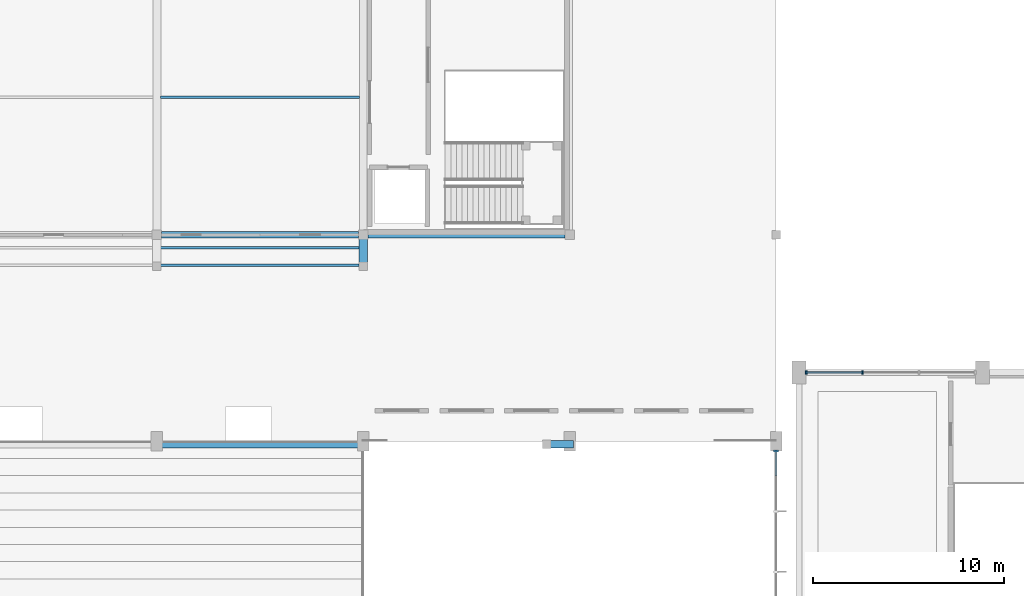
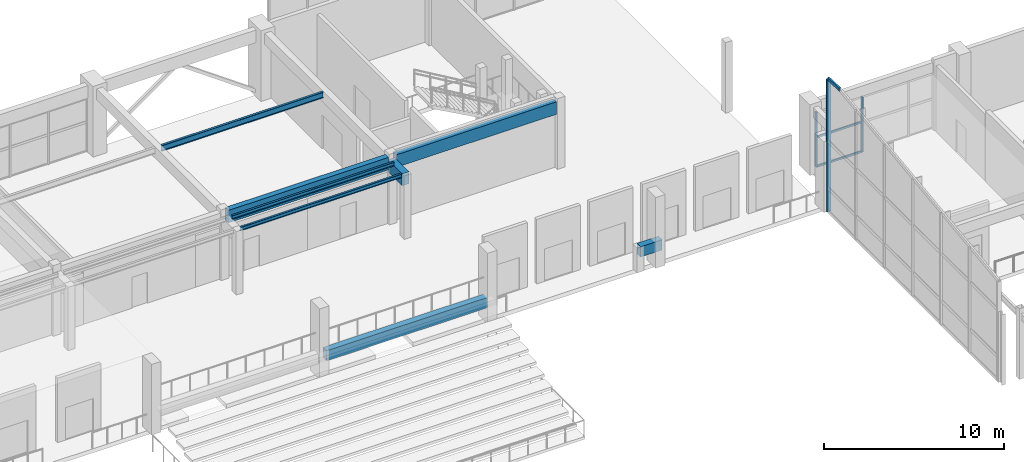
# One storey, part 34 of 74: 8 beams, 6 members, 2 elements without a shape of their own.
"""IFC4 building model written with IfcOpenShell, lengths in metres."""

from ifc_helpers import new_model, si_unit, direction, frame, origin, origin_2d, place, context, subcontext, project, spatial, rectangle, i_section, extrude, material, material_profile, profile_set, type_object, element, aggregate, save


model = new_model("IFC4")

# Units and contexts
model_context = context("Model", 3, precision=1e-05, world=origin(), true_north=direction((0.0, 1.0)))
body_context = subcontext(model_context, "Body", "Model", "MODEL_VIEW")
ifc_project = project(units=[si_unit("LENGTHUNIT", "METRE"), si_unit("AREAUNIT", "SQUARE_METRE"), si_unit("VOLUMEUNIT", "CUBIC_METRE"), si_unit("PLANEANGLEUNIT", "RADIAN"), si_unit("MASSUNIT", "GRAM", prefix="KILO")], contexts=[model_context])

# Site, building, storey
site_placement = place(None, origin())
site = spatial("IfcSite", under=ifc_project, at=site_placement, CompositionType="ELEMENT")
building_placement = place(site_placement, origin())
building = spatial("IfcBuilding", under=site, at=building_placement, Name="Suirenkawa Promenade Aquatics Centre", CompositionType="ELEMENT")
storey_placement = place(building_placement, frame((0.0, 0.0, 4.800048828125)))
storey = spatial("IfcBuildingStorey", under=building, at=storey_placement, Name="L01", CompositionType="ELEMENT", Elevation=4.800048828125)

# Beams
ifc_material_1 = material(Name="Steel IS 2062 E350 (Grade 350)", Category="steel")
ifc_material_profile_1 = material_profile(ifc_material_1, i_section(OverallWidth=0.125, OverallDepth=0.25, WebThickness=0.007080078125, FlangeThickness=0.012939453125, at=origin_2d()), Name="ISMB 250", Category="steel")
ifc_profile_set_1 = profile_set([ifc_material_profile_1], Name="Steel IS 2062 E350 (Grade 350)")
beam_type_1 = type_object("IfcBeamType", Name="BT-JOIST-ISMB250", PredefinedType="JOIST", material=ifc_profile_set_1)
for number, where, z_axis, x_axis, name in (
    (1, (122.590087890625, 106.419921875, 4.18505859375), (1.0, 0.0, 0.0), (0.0, 1.0, 0.0), "VIP tier stringer JS-01 BM-1330"),
    (2, (122.590087890625, 107.320068359375, 4.429931640625), (1.0, 0.0, 0.0), (0.0, 1.0, 0.0), "VIP tier stringer JS-01 BM-1331"),
):
    element("IfcBeam", number, at=place(storey_placement, frame(where, z_axis=z_axis, x_axis=x_axis)), inside=storey, type_object=beam_type_1, Name=name, PredefinedType="JOIST", context=body_context, shape_type="SweptSolid", body=[
        extrude(i_section(OverallWidth=0.125, OverallDepth=0.25, WebThickness=0.007080078125, FlangeThickness=0.012939453125, at=origin_2d()), origin(), (0.0, 0.0, 1.0), 10.419921875),
    ])
ifc_material_profile_2 = material_profile(ifc_material_1, i_section(OverallWidth=0.139892578125, OverallDepth=0.39990234375, WebThickness=0.009033203125, FlangeThickness=0.01611328125, at=origin_2d()), Name="ISMB 400", Category="steel")
ifc_profile_set_2 = profile_set([ifc_material_profile_2], Name="Steel IS 2062 E350 (Grade 350)")
beam_type_2 = type_object("IfcBeamType", Name="BT-JOIST-ISMB400", PredefinedType="JOIST", material=ifc_profile_set_2)
beam_1_placement = place(storey_placement, frame((122.593994140625, 115.199951171875, 4.347900390625), z_axis=(1.0, 0.0, 0.0), x_axis=(0.0, 1.0, 0.0)))
element("IfcBeam", 3, at=beam_1_placement, inside=storey, type_object=beam_type_2, Name="Secondary floor joist JS-04 BM-1155", PredefinedType="JOIST", context=body_context, shape_type="SweptSolid", body=[
    extrude(i_section(OverallWidth=0.139892578125, OverallDepth=0.39990234375, WebThickness=0.009033203125, FlangeThickness=0.01611328125, at=origin_2d()), origin(), (0.0, 0.0, 1.0), 10.412109375),
])
ifc_material_2 = material(Name="Concrete M35", Category="concrete")
ifc_material_profile_3 = material_profile(ifc_material_2, rectangle(XDim=0.39990234375, YDim=0.699951171875, at=origin_2d()), Name="RC BM 400x700", Category="concrete")
ifc_profile_set_3 = profile_set([ifc_material_profile_3], Name="Concrete M35")
beam_type_3 = type_object("IfcBeamType", Name="BT-RC-400x700", PredefinedType="BEAM", material=ifc_profile_set_3)
beam_2_placement = place(storey_placement, frame((122.639892578125, 97.050048828125, 1.329833984375), z_axis=(1.0, 0.0, 0.0), x_axis=(0.0, 1.0, 0.0)))
element("IfcBeam", 4, at=beam_2_placement, inside=storey, type_object=beam_type_3, Name="Bowl top header beam BM-04 BM-1291", PredefinedType="BEAM", context=body_context, shape_type="SweptSolid", body=[
    extrude(rectangle(XDim=0.39990234375, YDim=0.699951171875, at=origin_2d()), origin(), (0.0, 0.0, 1.0), 10.320068359375),
])
beam_3_placement = place(storey_placement, frame((142.800048828125, 97.050048828125, 1.329833984375), z_axis=(1.0, 0.0, 0.0), x_axis=(0.0, 1.0, 0.0)))
element("IfcBeam", 5, at=beam_3_placement, inside=storey, type_object=beam_type_3, Name="Bowl east raker header beam BM-04 BM-1312", PredefinedType="BEAM", context=body_context, shape_type="SweptSolid", body=[
    extrude(rectangle(XDim=0.39990234375, YDim=0.699951171875, at=origin_2d()), origin(), (0.0, 0.0, 1.0), 1.39990234375),
])
ifc_material_3 = material(Name="Concrete M40", Category="concrete")
ifc_material_profile_4 = material_profile(ifc_material_3, rectangle(XDim=0.449951171875, YDim=0.800048828125, at=origin_2d()), Name="RC BM 450x800", Category="concrete")
ifc_profile_set_4 = profile_set([ifc_material_profile_4], Name="Concrete M40")
beam_type_4 = type_object("IfcBeamType", Name="BT-RC-450x800", PredefinedType="BEAM", material=ifc_profile_set_4)
beam_4_placement = place(storey_placement, frame((133.199951171875, 106.35009765625, 3.909912109375), z_axis=(0.0, 1.0, 0.0), x_axis=(-1.0, 0.0, 0.0)))
element("IfcBeam", 6, at=beam_4_placement, inside=storey, type_object=beam_type_4, Name="VIP tier support girder BM-06 BM-1319", PredefinedType="BEAM", context=body_context, shape_type="SweptSolid", body=[
    extrude(rectangle(XDim=0.449951171875, YDim=0.800048828125, at=origin_2d()), origin(), (0.0, 0.0, 1.0), 1.599853515625),
])
ifc_material_profile_5 = material_profile(ifc_material_3, rectangle(XDim=0.35009765625, YDim=0.85009765625, at=origin_2d()), Name="RC SPANDREL 350x850", Category="concrete")
ifc_profile_set_5 = profile_set([ifc_material_profile_5], Name="Concrete M40")
beam_type_5 = type_object("IfcBeamType", Name="BT-SPANDREL-350x850", PredefinedType="SPANDREL", material=ifc_profile_set_5)
for number, where, z_axis, x_axis, name in (
    (7, (122.64404296875, 108.0, 4.125), (1.0, 0.0, 0.0), (0.0, 1.0, 0.0), "Floor beam SP-02 BM-1132"),
    (8, (133.444091796875, 108.0, 4.125), (1.0, 0.0, 0.0), (0.0, 1.0, 0.0), "Floor beam SP-02 BM-1133"),
):
    element("IfcBeam", number, at=place(storey_placement, frame(where, z_axis=z_axis, x_axis=x_axis)), inside=storey, type_object=beam_type_5, Name=name, PredefinedType="SPANDREL", context=body_context, shape_type="SweptSolid", body=[
        extrude(rectangle(XDim=0.35009765625, YDim=0.85009765625, at=origin_2d()), origin(), (0.0, 0.0, 1.0), 10.31201171875),
    ])

# Curtain wall, members
ifc_material_4 = material(Name="Anodised aluminium 6063-T6", Category="aluminium")
curtain_wall_type_1 = type_object("IfcCurtainWallType", Name="CWAT-V2GL01-18", PredefinedType="NOTDEFINED", material=ifc_material_4)
curtain_wall_1_placement = place(storey_placement, origin())
curtain_wall_1 = element("IfcCurtainWall", 9, at=curtain_wall_1_placement, inside=storey, type_object=curtain_wall_type_1, Name="Curtain wall CWA-18 CW-037", PredefinedType="NOTDEFINED")
ifc_material_profile_6 = material_profile(ifc_material_4, rectangle(XDim=0.090087890625, YDim=0.159912109375, at=origin_2d()), Name="ALU MULL 90x160", Category="aluminium")
ifc_profile_set_6 = profile_set([ifc_material_profile_6], Name="Anodised aluminium 6063-T6")
member_type_1 = type_object("IfcMemberType", Name="CWM-160x90", PredefinedType="MULLION", material=ifc_profile_set_6)
member_1_placement = place(storey_placement, frame((156.3740234375, 100.800048828125, 0.0), z_axis=(0.0, 0.0, 1.0), x_axis=(1.0, 0.0, 0.0)))
member_1 = element("IfcMember", 10, at=member_1_placement, type_object=member_type_1, Name="Mullion ML-03 CWM-00761", PredefinedType="MULLION", context=body_context, shape_type="SweptSolid", body=[
    extrude(rectangle(XDim=0.090087890625, YDim=0.159912109375, at=origin_2d()), origin(), (0.0, 0.0, 1.0), 3.719970703125),
])
member_2_placement = place(storey_placement, frame((159.32470703125, 100.800048828125, 0.0), z_axis=(0.0, 0.0, 1.0), x_axis=(1.0, 0.0, 0.0)))
member_2 = element("IfcMember", 11, at=member_2_placement, type_object=member_type_1, Name="Mullion ML-03 CWM-00762", PredefinedType="MULLION", context=body_context, shape_type="SweptSolid", body=[
    extrude(rectangle(XDim=0.090087890625, YDim=0.159912109375, at=origin_2d()), origin(), (0.0, 0.0, 1.0), 3.719970703125),
])

# Curtain wall, member
curtain_wall_type_2 = type_object("IfcCurtainWallType", Name="CWAT-GABLEV1-04", PredefinedType="NOTDEFINED", material=ifc_material_4)
curtain_wall_2_placement = place(storey_placement, origin())
curtain_wall_2 = element("IfcCurtainWall", 12, at=curtain_wall_2_placement, inside=storey, type_object=curtain_wall_type_2, Name="Curtain wall CWA-04 CW-008", PredefinedType="NOTDEFINED")
ifc_material_profile_7 = material_profile(ifc_material_4, rectangle(XDim=0.110107421875, YDim=0.260009765625, at=origin_2d()), Name="ALU MULL 110x260", Category="aluminium")
ifc_profile_set_7 = profile_set([ifc_material_profile_7], Name="Anodised aluminium 6063-T6")
member_type_2 = type_object("IfcMemberType", Name="CWM-260x110", PredefinedType="MULLION", material=ifc_profile_set_7)
member_3_placement = place(storey_placement, frame((154.800048828125, 96.700927734375, 0.0), z_axis=(0.0, 0.0, 1.0), x_axis=(0.0, -1.0, 0.0)))
member_3 = element("IfcMember", 13, at=member_3_placement, type_object=member_type_2, Name="Mullion ML-04 CWM-00160", PredefinedType="MULLION", context=body_context, shape_type="SweptSolid", body=[
    extrude(rectangle(XDim=0.110107421875, YDim=0.260009765625, at=origin_2d()), origin(), (0.0, 0.0, 1.0), 8.996826171875),
])

# Member
ifc_material_profile_8 = material_profile(ifc_material_4, rectangle(XDim=0.090087890625, YDim=0.1298828125, at=origin_2d()), Name="ALU TRAN 90x130", Category="aluminium")
ifc_profile_set_8 = profile_set([ifc_material_profile_8], Name="Anodised aluminium 6063-T6")
member_type_3 = type_object("IfcMemberType", Name="CWT-130x90", PredefinedType="USERDEFINED", material=ifc_profile_set_8)
member_4_placement = place(storey_placement, frame((156.3740234375, 100.800048828125, 0.0), z_axis=(1.0, 0.0, 0.0), x_axis=(0.0, 1.0, 0.0)))
member_4 = element("IfcMember", 14, at=member_4_placement, type_object=member_type_3, Name="Transom TR-03 CWT-00765", ObjectType="TRANSOM", PredefinedType="USERDEFINED", context=body_context, shape_type="SweptSolid", body=[
    extrude(rectangle(XDim=0.090087890625, YDim=0.1298828125, at=origin_2d()), origin(), (0.0, 0.0, 1.0), 2.95068359375),
])

member_5_placement = place(storey_placement, frame((156.3740234375, 100.800048828125, 2.0), z_axis=(1.0, 0.0, 0.0), x_axis=(0.0, 1.0, 0.0)))
member_5 = element("IfcMember", 15, at=member_5_placement, type_object=member_type_3, Name="Transom TR-03 CWT-00768", ObjectType="TRANSOM", PredefinedType="USERDEFINED", context=body_context, shape_type="SweptSolid", body=[
    extrude(rectangle(XDim=0.090087890625, YDim=0.1298828125, at=origin_2d()), origin(), (0.0, 0.0, 1.0), 2.95068359375),
])

aggregate(curtain_wall_1, [member_1, member_2, member_4, member_5])

ifc_material_profile_9 = material_profile(ifc_material_4, rectangle(XDim=0.110107421875, YDim=0.2099609375, at=origin_2d()), Name="ALU TRAN 110x210", Category="aluminium")
ifc_profile_set_9 = profile_set([ifc_material_profile_9], Name="Anodised aluminium 6063-T6")
member_type_4 = type_object("IfcMemberType", Name="CWT-210x110", PredefinedType="USERDEFINED", material=ifc_profile_set_9)
member_6_placement = place(storey_placement, frame((154.800048828125, 96.700927734375, 8.996826171875), z_axis=(0.0, -0.999164306777, 0.040874051206), x_axis=(1.0, 0.0, 0.0)))
member_6 = element("IfcMember", 16, at=member_6_placement, type_object=member_type_4, Name="Roofline transom TR-04 CWT-00185", ObjectType="TRANSOM", PredefinedType="USERDEFINED", context=body_context, shape_type="SweptSolid", body=[
    extrude(rectangle(XDim=0.110107421875, YDim=0.2099609375, at=origin_2d()), origin(), (0.0, 0.0, 1.0), 1.302001953125),
])

aggregate(curtain_wall_2, [member_3, member_6])

save(model, "model.ifc")
